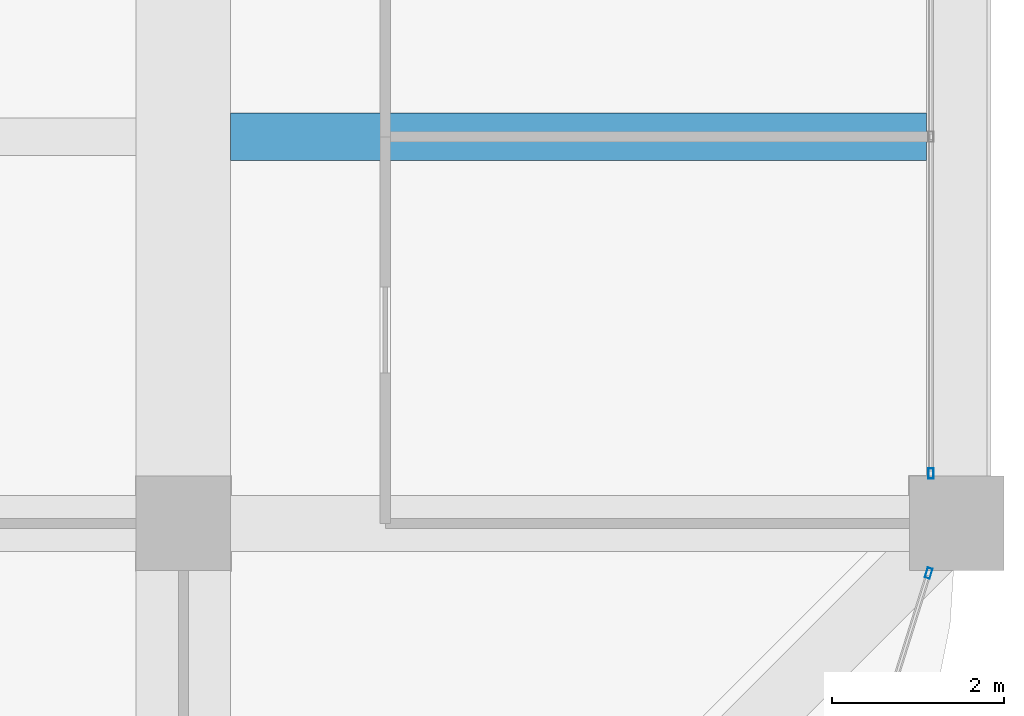
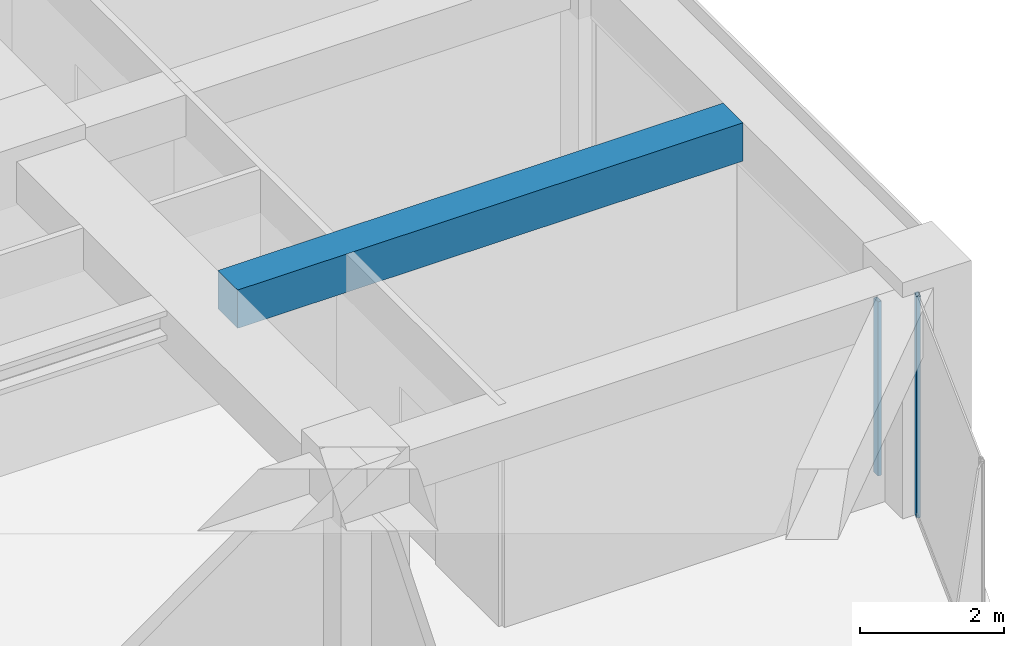
# One storey, part 22 of 44: 2 members, 1 beam, 2 elements without a shape of their own.
"""IFC4 building model written with IfcOpenShell, lengths in metres."""

from ifc_helpers import new_model, si_unit, direction, frame, origin, origin_2d, place, context, subcontext, project, spatial, rectangle, hollow_rectangle, extrude, material, material_profile, profile_set, type_object, element, aggregate, save


model = new_model("IFC4")

# Units and contexts
model_context = context("Model", 3, precision=1e-05, world=origin(), true_north=direction((0.0, 1.0)))
body_context = subcontext(model_context, "Body", "Model", "MODEL_VIEW")
ifc_project = project(units=[si_unit("LENGTHUNIT", "METRE"), si_unit("AREAUNIT", "SQUARE_METRE"), si_unit("VOLUMEUNIT", "CUBIC_METRE"), si_unit("PLANEANGLEUNIT", "RADIAN"), si_unit("MASSUNIT", "GRAM", prefix="KILO")], contexts=[model_context])

# Site, building, storey
site_placement = place(None, origin())
site = spatial("IfcSite", under=ifc_project, at=site_placement, CompositionType="ELEMENT")
building_placement = place(site_placement, origin())
building = spatial("IfcBuilding", under=site, at=building_placement, Name="Zorevar Civic Tower", CompositionType="ELEMENT")
storey_placement = place(building_placement, frame((0.0, 0.0, 267.39990234375)))
storey = spatial("IfcBuildingStorey", under=building, at=storey_placement, Name="L65", CompositionType="ELEMENT", Elevation=267.39990234375)

# Beam
ifc_material_1 = material(Name="Concrete C50/60", Category="concrete")
ifc_material_profile_1 = material_profile(ifc_material_1, rectangle(XDim=0.550048828125, YDim=0.64990234375, at=origin_2d()), Name="RC 550x650")
ifc_profile_set_1 = profile_set([ifc_material_profile_1], Name="Concrete C50/60")
beam_type = type_object("IfcBeamType", Name="Beam RC 550x650", PredefinedType="BEAM", material=ifc_profile_set_1)
beam_placement = place(storey_placement, frame((45.550048828125, 13.5, 3.425048828125), z_axis=(1.0, 0.0, 0.0), x_axis=(0.0, 1.0, 0.0)))
element("IfcBeam", 1, at=beam_placement, inside=storey, type_object=beam_type, Name="Secondary beam L66", PredefinedType="BEAM", context=body_context, shape_type="SweptSolid", body=[
    extrude(rectangle(XDim=0.550048828125, YDim=0.64990234375, at=origin_2d()), origin(), (0.0, 0.0, 1.0), 8.099853515625),
])

# Curtain wall, member
ifc_material_2 = material(Name="Dark grey solar-control glass in black aluminium frame", Category="aluminium")
curtain_wall_type = type_object("IfcCurtainWallType", Name="Curtain wall CW5 top zone", PredefinedType="NOTDEFINED", material=ifc_material_2)
curtain_wall_1_placement = place(storey_placement, origin())
curtain_wall_1 = element("IfcCurtainWall", 2, at=curtain_wall_1_placement, inside=storey, type_object=curtain_wall_type, Name="CW5 L65", PredefinedType="NOTDEFINED")
ifc_material_3 = material(Name="Aluminium, black anodised", Category="aluminium")
ifc_material_profile_2 = material_profile(ifc_material_3, hollow_rectangle(XDim=0.06005859375, YDim=0.1201171875, WallThickness=0.0029296875, at=origin_2d()), Name="AL 120x60x3")
ifc_profile_set_2 = profile_set([ifc_material_profile_2], Name="Aluminium, black anodised")
member_type = type_object("IfcMemberType", Name="CW5 mullion AL 120x60x3", PredefinedType="MULLION", material=ifc_profile_set_2)
member_1_placement = place(storey_placement, frame((53.699951171875, 9.580078125, 0.0), z_axis=(0.0, 0.0, 1.0), x_axis=(-1.0, 0.0, 0.0)))
member_1 = element("IfcMember", 3, at=member_1_placement, type_object=member_type, Name="CW5 mullion 1", PredefinedType="MULLION", context=body_context, shape_type="SweptSolid", body=[
    extrude(hollow_rectangle(XDim=0.06005859375, YDim=0.1201171875, WallThickness=0.0029296875, at=origin_2d()), origin(), (0.0, 0.0, 1.0), 2.9501953125),
])
aggregate(curtain_wall_1, [member_1])

curtain_wall_2_placement = place(storey_placement, origin())
curtain_wall_2 = element("IfcCurtainWall", 4, at=curtain_wall_2_placement, inside=storey, type_object=curtain_wall_type, Name="CW5 L65", PredefinedType="NOTDEFINED")
member_2_placement = place(storey_placement, frame((53.673583984375, 8.42138671875, 0.0), z_axis=(0.0, 0.0, 1.0), x_axis=(-0.954153437674, 0.299317920238, 0.0)))
member_2 = element("IfcMember", 5, at=member_2_placement, type_object=member_type, Name="CW5 mullion 2", PredefinedType="MULLION", context=body_context, shape_type="SweptSolid", body=[
    extrude(hollow_rectangle(XDim=0.06005859375, YDim=0.1201171875, WallThickness=0.0029296875, at=origin_2d()), origin(), (0.0, 0.0, 1.0), 3.75),
])
aggregate(curtain_wall_2, [member_2])

save(model, "model.ifc")
